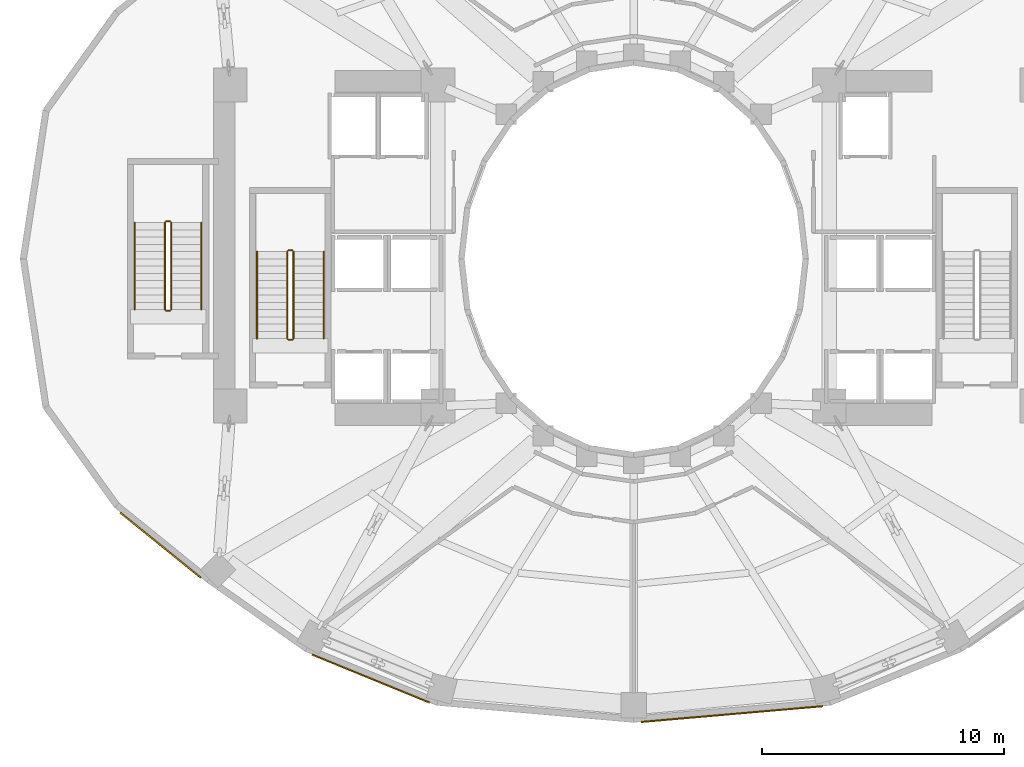
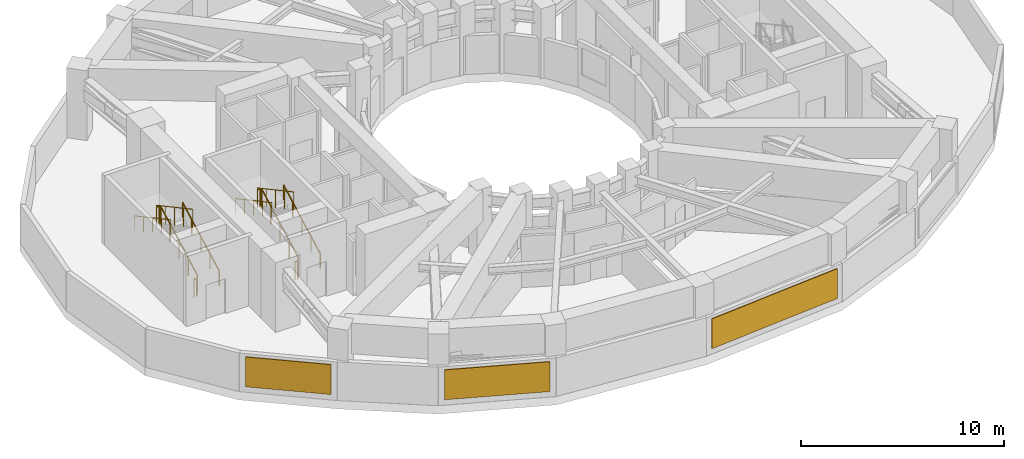
# One storey, part 8 of 10: 12 railings, 3 shading devices.
"""IFC4 building model written with IfcOpenShell, lengths in metres."""

from ifc_helpers import new_model, si_unit, direction, frame, origin, origin_2d, place, context, subcontext, project, spatial, rectangle, circle, extrude, material, layer, layer_set, type_object, element, save


model = new_model("IFC4")

# Units and contexts
model_context = context("Model", 3, precision=1e-05, world=origin(), true_north=direction((0.0, 1.0)))
body_context = subcontext(model_context, "Body", "Model", "MODEL_VIEW")
ifc_project = project(units=[si_unit("LENGTHUNIT", "METRE"), si_unit("AREAUNIT", "SQUARE_METRE"), si_unit("VOLUMEUNIT", "CUBIC_METRE"), si_unit("PLANEANGLEUNIT", "RADIAN"), si_unit("MASSUNIT", "GRAM", prefix="KILO")], contexts=[model_context])

# Site, building, storey
site_placement = place(None, origin())
site = spatial("IfcSite", under=ifc_project, at=site_placement, CompositionType="ELEMENT")
building_placement = place(site_placement, origin())
building = spatial("IfcBuilding", under=site, at=building_placement, Name="Solvane Sanctuary Tower", CompositionType="ELEMENT")
storey_placement = place(building_placement, frame((0.0, 0.0, 64.800048828125)))
storey = spatial("IfcBuildingStorey", under=building, at=storey_placement, Name="L19", CompositionType="ELEMENT", Elevation=64.800048828125)

# Railings
ifc_material_1 = material(Name="Architectural Stainless Steel 316", Category="steel")
railing_type_1 = type_object("IfcRailingType", Name="Railing GR-BALC-1150", PredefinedType="BALUSTRADE", material=ifc_material_1)
railing_1_placement = place(storey_placement, frame((17.919921875, 19.699951171875, 0.161376953125)))
element("IfcRailing", 1, at=railing_1_placement, inside=storey, type_object=railing_type_1, Name="L19 ST-1 stair guard 1", PredefinedType="BALUSTRADE", context=body_context, shape_type="SweptSolid", body=[
    extrude(circle(Radius=0.02392578125, at=origin_2d()), frame((0.0, 0.0, 1.076171875), z_axis=(0.0, 0.880474934443, 0.474092701714), x_axis=(-1.0, 0.0, 0.0)), (0.0, 0.0, 1.0), 4.0888671875),
    extrude(circle(Radius=0.02099609375, at=origin_2d()), origin(), (0.0, 0.0, 1.0), 1.052001953125),
    extrude(circle(Radius=0.02099609375, at=origin_2d()), frame((0.0, 0.89990234375, 0.484619140625)), (0.0, 0.0, 1.0), 1.052001953125),
    extrude(circle(Radius=0.02099609375, at=origin_2d()), frame((0.0, 1.800048828125, 0.96923828125)), (0.0, 0.0, 1.0), 1.052001953125),
    extrude(circle(Radius=0.02099609375, at=origin_2d()), frame((0.0, 2.7001953125, 1.453857421875)), (0.0, 0.0, 1.0), 1.052001953125),
    extrude(circle(Radius=0.02099609375, at=origin_2d()), frame((0.0, 3.60009765625, 1.9384765625)), (0.0, 0.0, 1.0), 1.052001953125),
])
railing_2_placement = place(storey_placement, frame((17.8701171875, 23.35009765625, 2.099853515625)))
element("IfcRailing", 2, at=railing_2_placement, inside=storey, type_object=railing_type_1, Name="L19 ST-1 stair guard 2", PredefinedType="BALUSTRADE", context=body_context, shape_type="SweptSolid", body=[
    extrude(circle(Radius=0.02392578125, at=origin_2d()), frame((0.0, 0.0, 1.076171875), z_axis=(-1.0, 0.0, 0.0), x_axis=(0.0, -1.0, 0.0)), (0.0, 0.0, 1.0), 0.16015625),
    extrude(circle(Radius=0.02099609375, at=origin_2d()), origin(), (0.0, 0.0, 1.0), 1.052001953125),
    extrude(circle(Radius=0.02099609375, at=origin_2d()), frame((-0.16015625, 0.0, 0.0)), (0.0, 0.0, 1.0), 1.052001953125),
])
railing_3_placement = place(storey_placement, frame((17.659912109375, 23.300048828125, 2.261474609375)))
element("IfcRailing", 3, at=railing_3_placement, inside=storey, type_object=railing_type_1, Name="L19 ST-1 stair guard 3", PredefinedType="BALUSTRADE", context=body_context, shape_type="SweptSolid", body=[
    extrude(circle(Radius=0.02392578125, at=origin_2d()), frame((0.0, 0.0, 1.076171875), z_axis=(0.0, -0.880474934443, 0.474092701714), x_axis=(1.0, 0.0, 0.0)), (0.0, 0.0, 1.0), 4.0888671875),
    extrude(circle(Radius=0.02099609375, at=origin_2d()), origin(), (0.0, 0.0, 1.0), 1.052001953125),
    extrude(circle(Radius=0.02099609375, at=origin_2d()), frame((0.0, -0.89990234375, 0.484619140625)), (0.0, 0.0, 1.0), 1.052001953125),
    extrude(circle(Radius=0.02099609375, at=origin_2d()), frame((0.0, -1.800048828125, 0.96923828125)), (0.0, 0.0, 1.0), 1.052001953125),
    extrude(circle(Radius=0.02099609375, at=origin_2d()), frame((0.0, -2.7001953125, 1.453857421875)), (0.0, 0.0, 1.0), 1.052001953125),
    extrude(circle(Radius=0.02099609375, at=origin_2d()), frame((0.0, -3.60009765625, 1.9384765625)), (0.0, 0.0, 1.0), 1.052001953125),
])
railing_4_placement = place(storey_placement, frame((17.8701171875, 19.64990234375, 0.0)))
element("IfcRailing", 4, at=railing_4_placement, inside=storey, type_object=railing_type_1, Name="L19 ST-1 stair guard 4", PredefinedType="BALUSTRADE", context=body_context, shape_type="SweptSolid", body=[
    extrude(circle(Radius=0.02392578125, at=origin_2d()), frame((0.0, 0.0, 1.076171875), z_axis=(-1.0, 0.0, 0.0), x_axis=(0.0, -1.0, 0.0)), (0.0, 0.0, 1.0), 0.16015625),
    extrude(circle(Radius=0.02099609375, at=origin_2d()), origin(), (0.0, 0.0, 1.0), 1.052001953125),
    extrude(circle(Radius=0.02099609375, at=origin_2d()), frame((-0.16015625, 0.0, 0.0)), (0.0, 0.0, 1.0), 1.052001953125),
])
railing_5_placement = place(storey_placement, frame((12.860107421875, 20.89990234375, 0.161376953125)))
element("IfcRailing", 5, at=railing_5_placement, inside=storey, type_object=railing_type_1, Name="L19 ST-3 stair guard 1", PredefinedType="BALUSTRADE", context=body_context, shape_type="SweptSolid", body=[
    extrude(circle(Radius=0.02392578125, at=origin_2d()), frame((0.0, 0.0, 1.076171875), z_axis=(0.0, 0.880474934443, 0.474092701714), x_axis=(-1.0, 0.0, 0.0)), (0.0, 0.0, 1.0), 4.0888671875),
    extrude(circle(Radius=0.02099609375, at=origin_2d()), origin(), (0.0, 0.0, 1.0), 1.052001953125),
    extrude(circle(Radius=0.02099609375, at=origin_2d()), frame((0.0, 0.89990234375, 0.484619140625)), (0.0, 0.0, 1.0), 1.052001953125),
    extrude(circle(Radius=0.02099609375, at=origin_2d()), frame((0.0, 1.800048828125, 0.96923828125)), (0.0, 0.0, 1.0), 1.052001953125),
    extrude(circle(Radius=0.02099609375, at=origin_2d()), frame((0.0, 2.7001953125, 1.453857421875)), (0.0, 0.0, 1.0), 1.052001953125),
    extrude(circle(Radius=0.02099609375, at=origin_2d()), frame((0.0, 3.60009765625, 1.9384765625)), (0.0, 0.0, 1.0), 1.052001953125),
])
railing_6_placement = place(storey_placement, frame((12.81005859375, 24.550048828125, 2.099853515625)))
element("IfcRailing", 6, at=railing_6_placement, inside=storey, type_object=railing_type_1, Name="L19 ST-3 stair guard 2", PredefinedType="BALUSTRADE", context=body_context, shape_type="SweptSolid", body=[
    extrude(circle(Radius=0.02392578125, at=origin_2d()), frame((0.0, 0.0, 1.076171875), z_axis=(-1.0, 0.0, 0.0), x_axis=(0.0, -1.0, 0.0)), (0.0, 0.0, 1.0), 0.16015625),
    extrude(circle(Radius=0.02099609375, at=origin_2d()), origin(), (0.0, 0.0, 1.0), 1.052001953125),
    extrude(circle(Radius=0.02099609375, at=origin_2d()), frame((-0.16015625, 0.0, 0.0)), (0.0, 0.0, 1.0), 1.052001953125),
])
railing_7_placement = place(storey_placement, frame((12.60009765625, 24.5, 2.261474609375)))
element("IfcRailing", 7, at=railing_7_placement, inside=storey, type_object=railing_type_1, Name="L19 ST-3 stair guard 3", PredefinedType="BALUSTRADE", context=body_context, shape_type="SweptSolid", body=[
    extrude(circle(Radius=0.02392578125, at=origin_2d()), frame((0.0, 0.0, 1.076171875), z_axis=(0.0, -0.880474934443, 0.474092701714), x_axis=(1.0, 0.0, 0.0)), (0.0, 0.0, 1.0), 4.0888671875),
    extrude(circle(Radius=0.02099609375, at=origin_2d()), origin(), (0.0, 0.0, 1.0), 1.052001953125),
    extrude(circle(Radius=0.02099609375, at=origin_2d()), frame((0.0, -0.89990234375, 0.484619140625)), (0.0, 0.0, 1.0), 1.052001953125),
    extrude(circle(Radius=0.02099609375, at=origin_2d()), frame((0.0, -1.800048828125, 0.96923828125)), (0.0, 0.0, 1.0), 1.052001953125),
    extrude(circle(Radius=0.02099609375, at=origin_2d()), frame((0.0, -2.7001953125, 1.453857421875)), (0.0, 0.0, 1.0), 1.052001953125),
    extrude(circle(Radius=0.02099609375, at=origin_2d()), frame((0.0, -3.60009765625, 1.9384765625)), (0.0, 0.0, 1.0), 1.052001953125),
])
railing_8_placement = place(storey_placement, frame((12.81005859375, 20.85009765625, 0.0)))
element("IfcRailing", 8, at=railing_8_placement, inside=storey, type_object=railing_type_1, Name="L19 ST-3 stair guard 4", PredefinedType="BALUSTRADE", context=body_context, shape_type="SweptSolid", body=[
    extrude(circle(Radius=0.02392578125, at=origin_2d()), frame((0.0, 0.0, 1.076171875), z_axis=(-1.0, 0.0, 0.0), x_axis=(0.0, -1.0, 0.0)), (0.0, 0.0, 1.0), 0.16015625),
    extrude(circle(Radius=0.02099609375, at=origin_2d()), origin(), (0.0, 0.0, 1.0), 1.052001953125),
    extrude(circle(Radius=0.02099609375, at=origin_2d()), frame((-0.16015625, 0.0, 0.0)), (0.0, 0.0, 1.0), 1.052001953125),
])
railing_type_2 = type_object("IfcRailingType", Name="Railing HR-STAIR-920", PredefinedType="HANDRAIL", material=ifc_material_1)
railing_9_placement = place(storey_placement, frame((19.169921875, 19.699951171875, 0.161376953125)))
element("IfcRailing", 9, at=railing_9_placement, inside=storey, type_object=railing_type_2, Name="L19 ST-1 stair handrail 1", PredefinedType="HANDRAIL", context=body_context, shape_type="SweptSolid", body=[
    extrude(circle(Radius=0.02392578125, at=origin_2d()), frame((0.0, 0.0, 0.8759765625), z_axis=(0.0, 0.880474934443, 0.474092701714), x_axis=(-1.0, 0.0, 0.0)), (0.0, 0.0, 1.0), 4.0888671875),
    extrude(circle(Radius=0.02099609375, at=origin_2d()), origin(), (0.0, 0.0, 1.0), 0.851806640625),
    extrude(circle(Radius=0.02099609375, at=origin_2d()), frame((0.0, 0.89990234375, 0.484619140625)), (0.0, 0.0, 1.0), 0.851806640625),
    extrude(circle(Radius=0.02099609375, at=origin_2d()), frame((0.0, 1.800048828125, 0.96923828125)), (0.0, 0.0, 1.0), 0.851806640625),
    extrude(circle(Radius=0.02099609375, at=origin_2d()), frame((0.0, 2.7001953125, 1.453857421875)), (0.0, 0.0, 1.0), 0.851806640625),
    extrude(circle(Radius=0.02099609375, at=origin_2d()), frame((0.0, 3.60009765625, 1.9384765625)), (0.0, 0.0, 1.0), 0.851806640625),
])
railing_10_placement = place(storey_placement, frame((16.409912109375, 23.300048828125, 2.261474609375)))
element("IfcRailing", 10, at=railing_10_placement, inside=storey, type_object=railing_type_2, Name="L19 ST-1 stair handrail 2", PredefinedType="HANDRAIL", context=body_context, shape_type="SweptSolid", body=[
    extrude(circle(Radius=0.02392578125, at=origin_2d()), frame((0.0, 0.0, 0.8759765625), z_axis=(0.0, -0.880474934443, 0.474092701714), x_axis=(1.0, 0.0, 0.0)), (0.0, 0.0, 1.0), 4.0888671875),
    extrude(circle(Radius=0.02099609375, at=origin_2d()), origin(), (0.0, 0.0, 1.0), 0.851806640625),
    extrude(circle(Radius=0.02099609375, at=origin_2d()), frame((0.0, -0.89990234375, 0.484619140625)), (0.0, 0.0, 1.0), 0.851806640625),
    extrude(circle(Radius=0.02099609375, at=origin_2d()), frame((0.0, -1.800048828125, 0.96923828125)), (0.0, 0.0, 1.0), 0.851806640625),
    extrude(circle(Radius=0.02099609375, at=origin_2d()), frame((0.0, -2.7001953125, 1.453857421875)), (0.0, 0.0, 1.0), 0.851806640625),
    extrude(circle(Radius=0.02099609375, at=origin_2d()), frame((0.0, -3.60009765625, 1.9384765625)), (0.0, 0.0, 1.0), 0.851806640625),
])
railing_11_placement = place(storey_placement, frame((14.110107421875, 20.89990234375, 0.161376953125)))
element("IfcRailing", 11, at=railing_11_placement, inside=storey, type_object=railing_type_2, Name="L19 ST-3 stair handrail 1", PredefinedType="HANDRAIL", context=body_context, shape_type="SweptSolid", body=[
    extrude(circle(Radius=0.02392578125, at=origin_2d()), frame((0.0, 0.0, 0.8759765625), z_axis=(0.0, 0.880474934443, 0.474092701714), x_axis=(-1.0, 0.0, 0.0)), (0.0, 0.0, 1.0), 4.0888671875),
    extrude(circle(Radius=0.02099609375, at=origin_2d()), origin(), (0.0, 0.0, 1.0), 0.851806640625),
    extrude(circle(Radius=0.02099609375, at=origin_2d()), frame((0.0, 0.89990234375, 0.484619140625)), (0.0, 0.0, 1.0), 0.851806640625),
    extrude(circle(Radius=0.02099609375, at=origin_2d()), frame((0.0, 1.800048828125, 0.96923828125)), (0.0, 0.0, 1.0), 0.851806640625),
    extrude(circle(Radius=0.02099609375, at=origin_2d()), frame((0.0, 2.7001953125, 1.453857421875)), (0.0, 0.0, 1.0), 0.851806640625),
    extrude(circle(Radius=0.02099609375, at=origin_2d()), frame((0.0, 3.60009765625, 1.9384765625)), (0.0, 0.0, 1.0), 0.851806640625),
])
railing_12_placement = place(storey_placement, frame((11.35009765625, 24.5, 2.261474609375)))
element("IfcRailing", 12, at=railing_12_placement, inside=storey, type_object=railing_type_2, Name="L19 ST-3 stair handrail 2", PredefinedType="HANDRAIL", context=body_context, shape_type="SweptSolid", body=[
    extrude(circle(Radius=0.02392578125, at=origin_2d()), frame((0.0, 0.0, 0.8759765625), z_axis=(0.0, -0.880474934443, 0.474092701714), x_axis=(1.0, 0.0, 0.0)), (0.0, 0.0, 1.0), 4.0888671875),
    extrude(circle(Radius=0.02099609375, at=origin_2d()), origin(), (0.0, 0.0, 1.0), 0.851806640625),
    extrude(circle(Radius=0.02099609375, at=origin_2d()), frame((0.0, -0.89990234375, 0.484619140625)), (0.0, 0.0, 1.0), 0.851806640625),
    extrude(circle(Radius=0.02099609375, at=origin_2d()), frame((0.0, -1.800048828125, 0.96923828125)), (0.0, 0.0, 1.0), 0.851806640625),
    extrude(circle(Radius=0.02099609375, at=origin_2d()), frame((0.0, -2.7001953125, 1.453857421875)), (0.0, 0.0, 1.0), 0.851806640625),
    extrude(circle(Radius=0.02099609375, at=origin_2d()), frame((0.0, -3.60009765625, 1.9384765625)), (0.0, 0.0, 1.0), 0.851806640625),
])

# Shading devices
ifc_material_2 = material(Name="Anodised Aluminium 6063-T6", Category="aluminium")
ifc_layer = layer(ifc_material_2, 0.06005859375, Name="Anodised Aluminium 6063-T6")
ifc_layer_set = layer_set([ifc_layer], Name="Anodised Aluminium 6063-T6")
shading_device_type = type_object("IfcShadingDeviceType", Name="Shading SHD-LOUVRE", PredefinedType="JALOUSIE", material=ifc_layer_set)
shading_device_1_placement = place(storey_placement, frame((12.41845703125, 11.146240234375, 0.35009765625), z_axis=(0.0, 0.0, 1.0), x_axis=(0.777094335392, -0.629384138585, 0.0)))
element("IfcShadingDevice", 13, at=shading_device_1_placement, inside=storey, type_object=shading_device_type, Name="L19 Plant Intake Louvre 14", PredefinedType="JALOUSIE", context=body_context, shape_type="SweptSolid", body=[
    extrude(rectangle(XDim=4.275634765625, YDim=0.06005859375, at=origin_2d()), origin(), (0.0, 0.0, 1.0), 1.800048828125),
])
shading_device_2_placement = place(storey_placement, frame((21.1220703125, 5.623779296875, 0.35009765625), z_axis=(0.0, 0.0, 1.0), x_axis=(0.925426793276, -0.378926444428, 0.0)))
element("IfcShadingDevice", 14, at=shading_device_2_placement, inside=storey, type_object=shading_device_type, Name="L19 Plant Intake Louvre 16", PredefinedType="JALOUSIE", context=body_context, shape_type="SweptSolid", body=[
    extrude(rectangle(XDim=5.25048828125, YDim=0.06005859375, at=origin_2d()), origin(), (0.0, 0.0, 1.0), 1.800048828125),
])
shading_device_3_placement = place(storey_placement, frame((36.071044921875, 4.15283203125, 0.35009765625), z_axis=(0.0, 0.0, 1.0), x_axis=(0.996252282868, 0.086495022284, 0.0)))
element("IfcShadingDevice", 15, at=shading_device_3_placement, inside=storey, type_object=shading_device_type, Name="L19 Plant Intake Louvre 18", PredefinedType="JALOUSIE", context=body_context, shape_type="SweptSolid", body=[
    extrude(rectangle(XDim=7.54833984375, YDim=0.06005859375, at=origin_2d()), origin(), (0.0, 0.0, 1.0), 1.800048828125),
])

save(model, "model.ifc")
